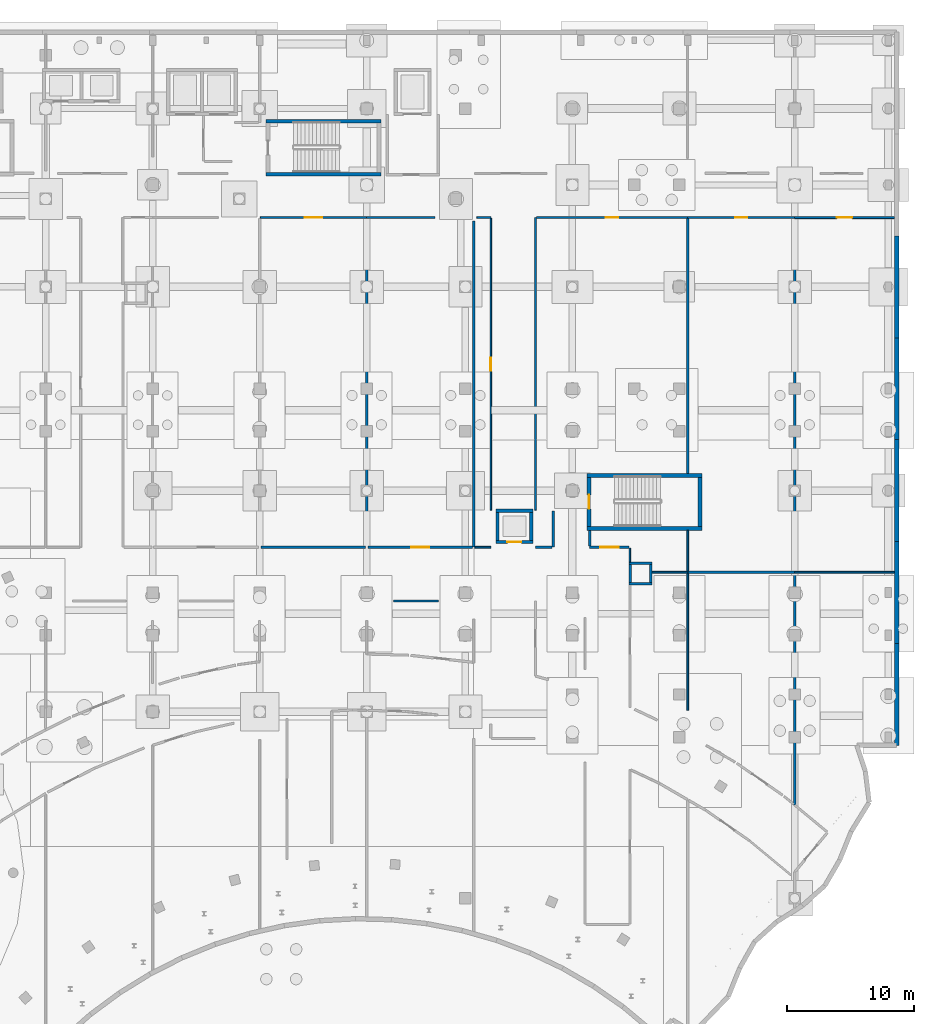
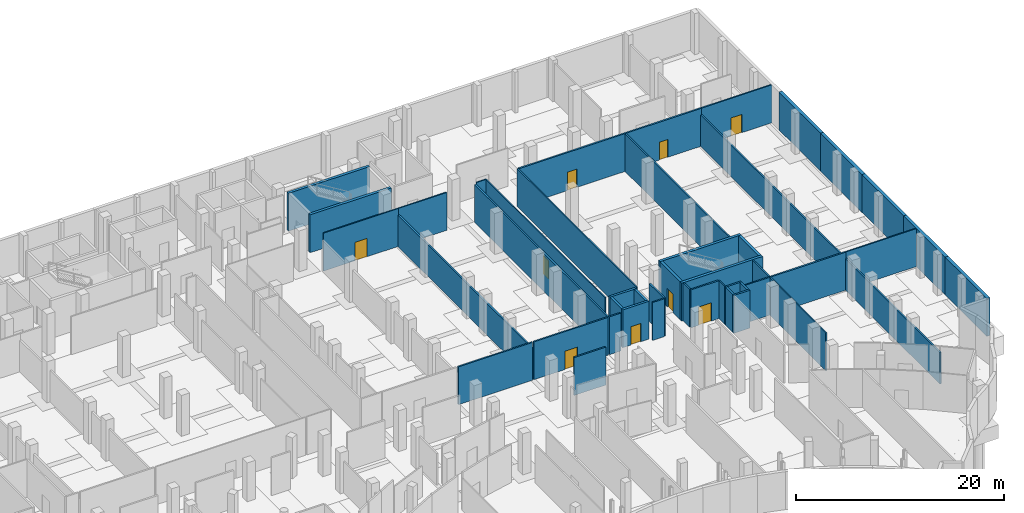
# One storey, part 37 of 45: 46 walls, 9 doors, 9 openings.
"""IFC4 building model written with IfcOpenShell, lengths in metres."""

from ifc_helpers import new_model, si_unit, direction, frame, frame_2d, origin, place, context, subcontext, project, spatial, rectangle, extrude, material, layer, layer_set, type_object, element, fill, save


model = new_model("IFC4")

# Units and contexts
model_context = context("Model", 3, precision=1e-05, world=origin(), true_north=direction((0.0, 1.0)))
body_context = subcontext(model_context, "Body", "Model", "MODEL_VIEW")
ifc_project = project(units=[si_unit("LENGTHUNIT", "METRE"), si_unit("AREAUNIT", "SQUARE_METRE"), si_unit("VOLUMEUNIT", "CUBIC_METRE"), si_unit("PLANEANGLEUNIT", "RADIAN"), si_unit("MASSUNIT", "GRAM", prefix="KILO")], contexts=[model_context])

# Site, building, storey
site_placement = place(None, origin())
site = spatial("IfcSite", under=ifc_project, at=site_placement, CompositionType="ELEMENT")
building_placement = place(site_placement, origin())
building = spatial("IfcBuilding", under=site, at=building_placement, Name="Selatvlak General Hospital", CompositionType="ELEMENT")
storey_placement = place(building_placement, frame((0.0, 0.0, -4.800048828125)))
storey = spatial("IfcBuildingStorey", under=building, at=storey_placement, Name="B1", CompositionType="ELEMENT", Elevation=-4.800048828125)

# Walls
ifc_material_1 = material(Name="Concrete C45/55", Category="concrete")
ifc_layer_1 = layer(ifc_material_1, 0.35009765625, Name="Concrete C45/55", Category="concrete")
ifc_layer_set_1 = layer_set([ifc_layer_1], Name="Concrete C45/55")
wall_type_1 = type_object("IfcWallType", Name="WALL-EW-05", PredefinedType="SHEAR", material=ifc_layer_set_1)
for number, where, z_axis, x_axis, name in (
    (1, (182.0, 104.0009765625, 0.0), (0.0, 0.0, 1.0), (0.0, -1.0, 0.0), "B1 retaining wall 0032"),
    (2, (182.0, 96.0009765625, 0.0), (0.0, 0.0, 1.0), (0.0, -1.0, 0.0), "B1 retaining wall 0033"),
    (3, (182.0, 88.0009765625, 0.0), (0.0, 0.0, 1.0), (0.0, -1.0, 0.0), "B1 retaining wall 0034"),
    (4, (182.0, 80.0009765625, 0.0), (0.0, 0.0, 1.0), (0.0, -1.0, 0.0), "B1 retaining wall 0035"),
    (5, (182.0, 72.0009765625, 0.0), (0.0, 0.0, 1.0), (0.0, -1.0, 0.0), "B1 retaining wall 0036"),
):
    element("IfcWall", number, at=place(storey_placement, frame(where, z_axis=z_axis, x_axis=x_axis)), inside=storey, type_object=wall_type_1, Name=name, PredefinedType="SHEAR", context=body_context, shape_type="SweptSolid", body=[
        extrude(rectangle(XDim=8.0, YDim=0.35009765625, at=frame_2d((4.0, 0.0))), origin(), (0.0, 0.0, 1.0), 4.449951171875),
    ])
ifc_material_2 = material(Name="Concrete C40/50", Category="concrete")
ifc_layer_2 = layer(ifc_material_2, 0.199951171875, Name="Concrete C40/50", Category="concrete")
ifc_layer_set_2 = layer_set([ifc_layer_2], Name="Concrete C40/50")
wall_type_2 = type_object("IfcWallType", Name="WALL-IW-02", PredefinedType="SOLIDWALL", material=ifc_layer_set_2)
wall_1_placement = place(storey_placement, frame((161.0, 76.699951171875, 0.0), z_axis=(0.0, 0.0, 1.0), x_axis=(1.0, 0.0, 0.0)))
element("IfcWall", 6, at=wall_1_placement, inside=storey, type_object=wall_type_2, Name="Service riser 4 shaft wall B1 S", PredefinedType="SOLIDWALL", context=body_context, shape_type="SweptSolid", body=[
    extrude(rectangle(XDim=1.800048828125, YDim=0.199951171875, at=frame_2d((0.89990234375, 0.0))), origin(), (0.0, 0.0, 1.0), 4.449951171875),
])
wall_2_placement = place(storey_placement, frame((162.699951171875, 76.800048828125, 0.0), z_axis=(0.0, 0.0, 1.0), x_axis=(0.0, 1.0, 0.0)))
element("IfcWall", 7, at=wall_2_placement, inside=storey, type_object=wall_type_2, Name="Service riser 4 shaft wall B1 E", PredefinedType="SOLIDWALL", context=body_context, shape_type="SweptSolid", body=[
    extrude(rectangle(XDim=1.39990234375, YDim=0.199951171875, at=frame_2d((0.699951171875, 0.0))), origin(), (0.0, 0.0, 1.0), 4.449951171875),
])
wall_3_placement = place(storey_placement, frame((162.800048828125, 78.300048828125, 0.0), z_axis=(0.0, 0.0, 1.0), x_axis=(-1.0, 0.0, 0.0)))
element("IfcWall", 8, at=wall_3_placement, inside=storey, type_object=wall_type_2, Name="Service riser 4 shaft wall B1 N", PredefinedType="SOLIDWALL", context=body_context, shape_type="SweptSolid", body=[
    extrude(rectangle(XDim=1.800048828125, YDim=0.199951171875, at=frame_2d((0.89990234375, 0.0))), origin(), (0.0, 0.0, 1.0), 4.449951171875),
])
wall_4_placement = place(storey_placement, frame((161.10009765625, 78.199951171875, 0.0), z_axis=(0.0, 0.0, 1.0), x_axis=(0.0, -1.0, 0.0)))
element("IfcWall", 9, at=wall_4_placement, inside=storey, type_object=wall_type_2, Name="Service riser 4 shaft wall B1 W", PredefinedType="SOLIDWALL", context=body_context, shape_type="SweptSolid", body=[
    extrude(rectangle(XDim=1.39990234375, YDim=0.199951171875, at=frame_2d((0.699951171875, 0.0))), origin(), (0.0, 0.0, 1.0), 4.449951171875),
])
ifc_material_3 = material(Name="Acoustic gypsum stud partition")
ifc_layer_3 = layer(ifc_material_3, 0.179931640625, Name="Acoustic gypsum stud partition")
ifc_layer_set_3 = layer_set([ifc_layer_3], Name="Acoustic gypsum stud partition")
wall_type_3 = type_object("IfcWallType", Name="WALL-PT-01", PredefinedType="PARTITIONING", material=ifc_layer_set_3)
wall_5_placement = place(storey_placement, frame((165.60009765625, 77.60009765625, 0.0), z_axis=(0.0, 0.0, 1.0), x_axis=(1.0, 0.0, 0.0)))
element("IfcWall", 10, at=wall_5_placement, inside=storey, type_object=wall_type_3, Name="B1 clinical partition PT-B1-0213", PredefinedType="PARTITIONING", context=body_context, shape_type="SweptSolid", body=[
    extrude(rectangle(XDim=8.39990234375, YDim=0.179931640625, at=frame_2d((4.199951171875, 0.0))), origin(), (0.0, 0.0, 1.0), 4.449951171875),
])
wall_6_placement = place(storey_placement, frame((140.39990234375, 105.3759765625, 0.0), z_axis=(0.0, 0.0, 1.0), x_axis=(0.0, -1.0, 0.0)))
element("IfcWall", 11, at=wall_6_placement, inside=storey, type_object=wall_type_3, Name="B1 clinical partition PT-B1-0303", PredefinedType="PARTITIONING", context=body_context, shape_type="SweptSolid", body=[
    extrude(rectangle(XDim=25.81591796875, YDim=0.179931640625, at=frame_2d((12.907958984375, 0.0))), origin(), (0.0, 0.0, 1.0), 3.699951171875),
])
wall_7_placement = place(storey_placement, frame((148.800048828125, 105.18994140625, 0.0), z_axis=(0.0, 0.0, 1.0), x_axis=(0.0, -1.0, 0.0)))
element("IfcWall", 12, at=wall_7_placement, inside=storey, type_object=wall_type_3, Name="B1 clinical partition PT-B1-0306", PredefinedType="PARTITIONING", context=body_context, shape_type="SweptSolid", body=[
    extrude(rectangle(XDim=25.6298828125, YDim=0.179931640625, at=frame_2d((12.81494140625, 0.0))), origin(), (0.0, 0.0, 1.0), 4.449951171875),
])

# Wall, opening, door
wall_8_placement = place(storey_placement, frame((161.0, 79.56005859375, 0.0), z_axis=(0.0, 0.0, 1.0), x_axis=(-1.0, 0.0, 0.0)))
wall_8 = element("IfcWall", 13, at=wall_8_placement, inside=storey, type_object=wall_type_3, Name="B1 clinical partition PT-B1-0309", PredefinedType="PARTITIONING", context=body_context, shape_type="SweptSolid", body=[
    extrude(rectangle(XDim=3.090087890625, YDim=0.179931640625, at=frame_2d((1.544921875, 0.0))), origin(), (0.0, 0.0, 1.0), 4.449951171875),
])
opening_1_placement = place(wall_8_placement, frame((0.820068359375, 0.0, 0.0)))
opening_1 = element("IfcOpeningElement", 14, at=opening_1_placement, cuts=wall_8, Name="Opening D-12", PredefinedType="OPENING", context=body_context, shape_type="SweptSolid", body=[
    extrude(rectangle(XDim=1.449951171875, YDim=2.14990234375, at=frame_2d((0.72509765625, 1.074951171875))), frame((0.0, 0.099853515625, 0.0), z_axis=(0.0, -1.0, 0.0), x_axis=(1.0, 0.0, 0.0)), (0.0, 0.0, 1.0), 0.199951171875),
])
ifc_material_4 = material(Name="Isolation anteroom door")
door_type_1 = type_object("IfcDoorType", Name="DOOR-D-12", OperationType="NOTDEFINED", PredefinedType="DOOR", material=ifc_material_4)
door_1_placement = place(opening_1_placement, origin())
door_1 = element("IfcDoor", 15, at=door_1_placement, inside=storey, type_object=door_type_1, Name="B1 Standby Generator Plant 69 door", OperationType="SINGLE_SWING_LEFT", OverallHeight=2.14990234375, OverallWidth=1.449951171875, PredefinedType="DOOR", context=body_context, shape_type="SweptSolid", body=[
    extrude(rectangle(XDim=1.449951171875, YDim=2.14990234375, at=frame_2d((0.72509765625, 1.074951171875))), frame((0.0, 0.02490234375, 0.0), z_axis=(0.0, -1.0, 0.0), x_axis=(1.0, 0.0, 0.0)), (0.0, 0.0, 1.0), 0.050048828125),
])
fill(opening_1, door_1)

# Wall
wall_9_placement = place(storey_placement, frame((155.0400390625, 82.388916015625, 0.0), z_axis=(0.0, 0.0, 1.0), x_axis=(0.0, -1.0, 0.0)))
element("IfcWall", 16, at=wall_9_placement, inside=storey, type_object=wall_type_3, Name="B1 clinical partition PT-B1-0312", PredefinedType="PARTITIONING", context=body_context, shape_type="SweptSolid", body=[
    extrude(rectangle(XDim=2.828857421875, YDim=0.179931640625, at=frame_2d((1.41455078125, 0.0))), origin(), (0.0, 0.0, 1.0), 4.449951171875),
])

# Wall, opening, door
wall_10_placement = place(storey_placement, frame((153.72412109375, 105.43994140625, 0.0), z_axis=(0.0, 0.0, 1.0), x_axis=(1.0, 0.0, 0.0)))
wall_10 = element("IfcWall", 17, at=wall_10_placement, inside=storey, type_object=wall_type_3, Name="B1 clinical partition PT-B1-0315", PredefinedType="PARTITIONING", context=body_context, shape_type="SweptSolid", body=[
    extrude(rectangle(XDim=11.8759765625, YDim=0.179931640625, at=frame_2d((5.93798828125, 0.0))), origin(), (0.0, 0.0, 1.0), 4.449951171875),
])
opening_2_placement = place(wall_10_placement, frame((5.43798828125, 0.0, 0.0)))
opening_2 = element("IfcOpeningElement", 18, at=opening_2_placement, cuts=wall_10, Name="Opening D-21", PredefinedType="OPENING", context=body_context, shape_type="SweptSolid", body=[
    extrude(rectangle(XDim=1.0, YDim=2.14990234375, at=frame_2d((0.5, 1.074951171875))), frame((0.0, 0.099853515625, 0.0), z_axis=(0.0, -1.0, 0.0), x_axis=(1.0, 0.0, 0.0)), (0.0, 0.0, 1.0), 0.199951171875),
])
ifc_material_5 = material(Name="Laboratory fire door")
door_type_2 = type_object("IfcDoorType", Name="DOOR-D-21", OperationType="NOTDEFINED", PredefinedType="DOOR", material=ifc_material_5)
door_2_placement = place(opening_2_placement, origin())
door_2 = element("IfcDoor", 19, at=door_2_placement, inside=storey, type_object=door_type_2, Name="B1 Medical Gas Manifold Plant 70 door", OperationType="SINGLE_SWING_RIGHT", OverallHeight=2.14990234375, OverallWidth=1.0, PredefinedType="DOOR", context=body_context, shape_type="SweptSolid", body=[
    extrude(rectangle(XDim=1.0, YDim=2.14990234375, at=frame_2d((0.5, 1.074951171875))), frame((0.0, 0.02490234375, 0.0), z_axis=(0.0, -1.0, 0.0), x_axis=(1.0, 0.0, 0.0)), (0.0, 0.0, 1.0), 0.050048828125),
])
fill(opening_2, door_2)

wall_11_placement = place(storey_placement, frame((165.60009765625, 105.43994140625, 0.0), z_axis=(0.0, 0.0, 1.0), x_axis=(1.0, 0.0, 0.0)))
wall_11 = element("IfcWall", 20, at=wall_11_placement, inside=storey, type_object=wall_type_3, Name="B1 clinical partition PT-B1-0320", PredefinedType="PARTITIONING", context=body_context, shape_type="SweptSolid", body=[
    extrude(rectangle(XDim=8.39990234375, YDim=0.179931640625, at=frame_2d((4.199951171875, 0.0))), origin(), (0.0, 0.0, 1.0), 4.449951171875),
])
opening_3_placement = place(wall_11_placement, frame((3.72509765625, 0.0, 0.0)))
opening_3 = element("IfcOpeningElement", 21, at=opening_3_placement, cuts=wall_11, Name="Opening D-02", PredefinedType="OPENING", context=body_context, shape_type="SweptSolid", body=[
    extrude(rectangle(XDim=0.949951171875, YDim=2.10009765625, at=frame_2d((0.47509765625, 1.050048828125))), frame((0.0, 0.099853515625, 0.0), z_axis=(0.0, -1.0, 0.0), x_axis=(1.0, 0.0, 0.0)), (0.0, 0.0, 1.0), 0.199951171875),
])
ifc_material_6 = material(Name="Moisture-resistant en-suite door")
door_type_3 = type_object("IfcDoorType", Name="DOOR-D-02", OperationType="NOTDEFINED", PredefinedType="DOOR", material=ifc_material_6)
door_3_placement = place(opening_3_placement, origin())
door_3 = element("IfcDoor", 22, at=door_3_placement, inside=storey, type_object=door_type_3, Name="B1 Hospital Linen Laundry 72 door", OperationType="SINGLE_SWING_RIGHT", OverallHeight=2.10009765625, OverallWidth=0.949951171875, PredefinedType="DOOR", context=body_context, shape_type="SweptSolid", body=[
    extrude(rectangle(XDim=0.949951171875, YDim=2.10009765625, at=frame_2d((0.47509765625, 1.050048828125))), frame((0.0, 0.02490234375, 0.0), z_axis=(0.0, -1.0, 0.0), x_axis=(1.0, 0.0, 0.0)), (0.0, 0.0, 1.0), 0.050048828125),
])
fill(opening_3, door_3)

# Walls
ifc_layer_4 = layer(ifc_material_3, 0.1650390625, Name="Acoustic gypsum stud partition")
ifc_layer_set_4 = layer_set([ifc_layer_4], Name="Acoustic gypsum stud partition")
wall_type_4 = type_object("IfcWallType", Name="WALL-PT-02", PredefinedType="PARTITIONING", material=ifc_layer_set_4)
wall_12_placement = place(storey_placement, frame((142.508056640625, 75.340087890625, 0.0), z_axis=(0.0, 0.0, 1.0), x_axis=(1.0, 0.0, 0.0)))
element("IfcWall", 23, at=wall_12_placement, inside=storey, type_object=wall_type_4, Name="B1 clinical partition PT-B1-0187", PredefinedType="PARTITIONING", context=body_context, shape_type="SweptSolid", body=[
    extrude(rectangle(XDim=3.533935546875, YDim=0.1650390625, at=frame_2d((1.76708984375, 0.0))), origin(), (0.0, 0.0, 1.0), 4.449951171875),
])
wall_13_placement = place(storey_placement, frame((174.0, 77.513916015625, 0.0), z_axis=(0.0, 0.0, 1.0), x_axis=(0.0, -1.0, 0.0)))
element("IfcWall", 24, at=wall_13_placement, inside=storey, type_object=wall_type_4, Name="B1 clinical partition PT-B1-0214", PredefinedType="PARTITIONING", context=body_context, shape_type="SweptSolid", body=[
    extrude(rectangle(XDim=18.19482421875, YDim=0.1650390625, at=frame_2d((9.097412109375, 0.0))), origin(), (0.0, 0.0, 1.0), 3.699951171875),
])
wall_14_placement = place(storey_placement, frame((140.31396484375, 79.56005859375, 0.0), z_axis=(0.0, 0.0, 1.0), x_axis=(-1.0, 0.0, 0.0)))
element("IfcWall", 25, at=wall_14_placement, inside=storey, type_object=wall_type_4, Name="B1 clinical partition PT-B1-0304", PredefinedType="PARTITIONING", context=body_context, shape_type="SweptSolid", body=[
    extrude(rectangle(XDim=8.22802734375, YDim=0.1650390625, at=frame_2d((4.114013671875, 0.0))), origin(), (0.0, 0.0, 1.0), 4.449951171875),
])

# Wall, opening, door
wall_15_placement = place(storey_placement, frame((148.714111328125, 79.56005859375, 0.0), z_axis=(0.0, 0.0, 1.0), x_axis=(-1.0, 0.0, 0.0)))
wall_15 = element("IfcWall", 26, at=wall_15_placement, inside=storey, type_object=wall_type_4, Name="B1 clinical partition PT-B1-0307", PredefinedType="PARTITIONING", context=body_context, shape_type="SweptSolid", body=[
    extrude(rectangle(XDim=8.22802734375, YDim=0.1650390625, at=frame_2d((4.114013671875, 0.0))), origin(), (0.0, 0.0, 1.0), 4.449951171875),
])
opening_4_placement = place(wall_15_placement, frame((3.4140625, 0.0, 0.0)))
opening_4 = element("IfcOpeningElement", 27, at=opening_4_placement, cuts=wall_15, Name="Opening D-11", PredefinedType="OPENING", context=body_context, shape_type="SweptSolid", body=[
    extrude(rectangle(XDim=1.39990234375, YDim=2.14990234375, at=frame_2d((0.699951171875, 1.074951171875))), frame((0.0, 0.092529296875, 0.0), z_axis=(0.0, -1.0, 0.0), x_axis=(1.0, 0.0, 0.0)), (0.0, 0.0, 1.0), 0.18505859375),
])
ifc_material_7 = material(Name="Inpatient suite bed door")
door_type_4 = type_object("IfcDoorType", Name="DOOR-D-11", OperationType="NOTDEFINED", PredefinedType="DOOR", material=ifc_material_7)
door_4_placement = place(opening_4_placement, origin())
door_4 = element("IfcDoor", 28, at=door_4_placement, inside=storey, type_object=door_type_4, Name="B1 Central Chiller Plant 68 door", OperationType="SINGLE_SWING_RIGHT", OverallHeight=2.14990234375, OverallWidth=1.39990234375, PredefinedType="DOOR", context=body_context, shape_type="SweptSolid", body=[
    extrude(rectangle(XDim=1.39990234375, YDim=2.14990234375, at=frame_2d((0.699951171875, 1.074951171875))), frame((0.0, 0.02490234375, 0.0), z_axis=(0.0, -1.0, 0.0), x_axis=(1.0, 0.0, 0.0)), (0.0, 0.0, 1.0), 0.050048828125),
])
fill(opening_4, door_4)

# Walls
wall_16_placement = place(storey_placement, frame((157.909912109375, 79.64599609375, 0.0), z_axis=(0.0, 0.0, 1.0), x_axis=(0.0, 1.0, 0.0)))
element("IfcWall", 29, at=wall_16_placement, inside=storey, type_object=wall_type_4, Name="B1 clinical partition PT-B1-0310", PredefinedType="PARTITIONING", context=body_context, shape_type="SweptSolid", body=[
    extrude(rectangle(XDim=1.2470703125, YDim=0.1650390625, at=frame_2d((0.62353515625, 0.0))), origin(), (0.0, 0.0, 1.0), 4.449951171875),
])
wall_17_placement = place(storey_placement, frame((154.9541015625, 79.56005859375, 0.0), z_axis=(0.0, 0.0, 1.0), x_axis=(-1.0, 0.0, 0.0)))
element("IfcWall", 30, at=wall_17_placement, inside=storey, type_object=wall_type_4, Name="B1 clinical partition PT-B1-0313", PredefinedType="PARTITIONING", context=body_context, shape_type="SweptSolid", body=[
    extrude(rectangle(XDim=1.294189453125, YDim=0.1650390625, at=frame_2d((0.64697265625, 0.0))), origin(), (0.0, 0.0, 1.0), 4.449951171875),
])
wall_18_placement = place(storey_placement, frame((165.60009765625, 105.35400390625, 0.0), z_axis=(0.0, 0.0, 1.0), x_axis=(0.0, -1.0, 0.0)))
element("IfcWall", 31, at=wall_18_placement, inside=storey, type_object=wall_type_4, Name="B1 clinical partition PT-B1-0316", PredefinedType="PARTITIONING", context=body_context, shape_type="SweptSolid", body=[
    extrude(rectangle(XDim=20.007080078125, YDim=0.1650390625, at=frame_2d((10.00341796875, 0.0))), origin(), (0.0, 0.0, 1.0), 4.449951171875),
])
wall_19_placement = place(storey_placement, frame((174.0, 105.35400390625, 0.0), z_axis=(0.0, 0.0, 1.0), x_axis=(0.0, -1.0, 0.0)))
element("IfcWall", 32, at=wall_19_placement, inside=storey, type_object=wall_type_4, Name="B1 clinical partition PT-B1-0321", PredefinedType="PARTITIONING", context=body_context, shape_type="SweptSolid", body=[
    extrude(rectangle(XDim=27.66796875, YDim=0.1650390625, at=frame_2d((13.833984375, 0.0))), origin(), (0.0, 0.0, 1.0), 3.699951171875),
])
ifc_layer_5 = layer(ifc_material_3, 0.14990234375, Name="Acoustic gypsum stud partition")
ifc_layer_set_5 = layer_set([ifc_layer_5], Name="Acoustic gypsum stud partition")
wall_type_5 = type_object("IfcWallType", Name="WALL-PT-03", PredefinedType="PARTITIONING", material=ifc_layer_set_5)
wall_20_placement = place(storey_placement, frame((162.797119140625, 77.60009765625, 0.0), z_axis=(0.0, 0.0, 1.0), x_axis=(1.0, 0.0, 0.0)))
element("IfcWall", 33, at=wall_20_placement, inside=storey, type_object=wall_type_5, Name="B1 clinical partition PT-B1-0202", PredefinedType="PARTITIONING", context=body_context, shape_type="SweptSolid", body=[
    extrude(rectangle(XDim=2.802978515625, YDim=0.14990234375, at=frame_2d((1.4013671875, 0.0))), origin(), (0.0, 0.0, 1.0), 4.449951171875),
])
wall_21_placement = place(storey_placement, frame((150.139892578125, 79.56005859375, 0.0), z_axis=(0.0, 0.0, 1.0), x_axis=(-1.0, 0.0, 0.0)))
element("IfcWall", 34, at=wall_21_placement, inside=storey, type_object=wall_type_5, Name="B1 clinical partition PT-B1-0317", PredefinedType="PARTITIONING", context=body_context, shape_type="SweptSolid", body=[
    extrude(rectangle(XDim=1.25390625, YDim=0.14990234375, at=frame_2d((0.626953125, 0.0))), origin(), (0.0, 0.0, 1.0), 4.449951171875),
])

# Wall, opening, door
wall_22_placement = place(storey_placement, frame((174.0, 105.43994140625, 0.0), z_axis=(0.0, 0.0, 1.0), x_axis=(1.0, 0.0, 0.0)))
wall_22 = element("IfcWall", 35, at=wall_22_placement, inside=storey, type_object=wall_type_5, Name="B1 clinical partition PT-B1-0322", PredefinedType="PARTITIONING", context=body_context, shape_type="SweptSolid", body=[
    extrude(rectangle(XDim=7.827880859375, YDim=0.14990234375, at=frame_2d((3.9140625, 0.0))), origin(), (0.0, 0.0, 1.0), 4.449951171875),
])
opening_5_placement = place(wall_22_placement, frame((3.31396484375, 0.0, 0.0)))
opening_5 = element("IfcOpeningElement", 36, at=opening_5_placement, cuts=wall_22, Name="Opening D-23", PredefinedType="OPENING", context=body_context, shape_type="SweptSolid", body=[
    extrude(rectangle(XDim=1.199951171875, YDim=2.14990234375, at=frame_2d((0.60009765625, 1.074951171875))), frame((0.0, 0.0849609375, 0.0), z_axis=(0.0, -1.0, 0.0), x_axis=(1.0, 0.0, 0.0)), (0.0, 0.0, 1.0), 0.169921875),
])
ifc_material_8 = material(Name="Endoscopy clinical door")
door_type_5 = type_object("IfcDoorType", Name="DOOR-D-23", OperationType="NOTDEFINED", PredefinedType="DOOR", material=ifc_material_8)
door_5_placement = place(opening_5_placement, origin())
door_5 = element("IfcDoor", 37, at=door_5_placement, inside=storey, type_object=door_type_5, Name="B1 Central Sterile Supply Department 73 door", OperationType="SINGLE_SWING_LEFT", OverallHeight=2.14990234375, OverallWidth=1.199951171875, PredefinedType="DOOR", context=body_context, shape_type="SweptSolid", body=[
    extrude(rectangle(XDim=1.199951171875, YDim=2.14990234375, at=frame_2d((0.60009765625, 1.074951171875))), frame((0.0, 0.02490234375, 0.0), z_axis=(0.0, -1.0, 0.0), x_axis=(1.0, 0.0, 0.0)), (0.0, 0.0, 1.0), 0.050048828125),
])
fill(opening_5, door_5)

# Walls
ifc_material_9 = material(Name="Moisture-resistant clinical partition")
ifc_layer_6 = layer(ifc_material_9, 0.135009765625, Name="Moisture-resistant clinical partition")
ifc_layer_set_6 = layer_set([ifc_layer_6], Name="Moisture-resistant clinical partition")
wall_type_6 = type_object("IfcWallType", Name="WALL-PT-04", PredefinedType="PARTITIONING", material=ifc_layer_set_6)
wall_23_placement = place(storey_placement, frame((165.60009765625, 77.529052734375, 0.0), z_axis=(0.0, 0.0, 1.0), x_axis=(0.0, -1.0, 0.0)))
element("IfcWall", 38, at=wall_23_placement, inside=storey, type_object=wall_type_6, Name="B1 clinical partition PT-B1-0203", PredefinedType="PARTITIONING", context=body_context, shape_type="SweptSolid", body=[
    extrude(rectangle(XDim=10.76708984375, YDim=0.135009765625, at=frame_2d((5.383544921875, 0.0))), origin(), (0.0, 0.0, 1.0), 4.449951171875),
])
wall_24_placement = place(storey_placement, frame((174.0, 77.60009765625, 0.0), z_axis=(0.0, 0.0, 1.0), x_axis=(1.0, 0.0, 0.0)))
element("IfcWall", 39, at=wall_24_placement, inside=storey, type_object=wall_type_6, Name="B1 clinical partition PT-B1-0218", PredefinedType="PARTITIONING", context=body_context, shape_type="SweptSolid", body=[
    extrude(rectangle(XDim=7.827880859375, YDim=0.135009765625, at=frame_2d((3.9140625, 0.0))), origin(), (0.0, 0.0, 1.0), 4.449951171875),
])

# Wall, opening, door
wall_25_placement = place(storey_placement, frame((132.055908203125, 105.43994140625, 0.0), z_axis=(0.0, 0.0, 1.0), x_axis=(1.0, 0.0, 0.0)))
wall_25 = element("IfcWall", 40, at=wall_25_placement, inside=storey, type_object=wall_type_6, Name="B1 clinical partition PT-B1-0302", PredefinedType="PARTITIONING", context=body_context, shape_type="SweptSolid", body=[
    extrude(rectangle(XDim=8.343994140625, YDim=0.135009765625, at=frame_2d((4.171875, 0.0))), origin(), (0.0, 0.0, 1.0), 4.449951171875),
])
opening_6_placement = place(wall_25_placement, frame((3.4970703125, 0.0, 0.0)))
opening_6 = element("IfcOpeningElement", 41, at=opening_6_placement, cuts=wall_25, Name="Opening D-10", PredefinedType="OPENING", context=body_context, shape_type="SweptSolid", body=[
    extrude(rectangle(XDim=1.35009765625, YDim=2.14990234375, at=frame_2d((0.675048828125, 1.074951171875))), frame((0.0, 0.077392578125, 0.0), z_axis=(0.0, -1.0, 0.0), x_axis=(1.0, 0.0, 0.0)), (0.0, 0.0, 1.0), 0.155029296875),
])
ifc_material_10 = material(Name="Single patient bed door")
door_type_6 = type_object("IfcDoorType", Name="DOOR-D-10", OperationType="NOTDEFINED", PredefinedType="DOOR", material=ifc_material_10)
door_6_placement = place(opening_6_placement, origin())
door_6 = element("IfcDoor", 42, at=door_6_placement, inside=storey, type_object=door_type_6, Name="B1 Bulk Pharmacy Store 67 door", OperationType="SINGLE_SWING_LEFT", OverallHeight=2.14990234375, OverallWidth=1.35009765625, PredefinedType="DOOR", context=body_context, shape_type="SweptSolid", body=[
    extrude(rectangle(XDim=1.35009765625, YDim=2.14990234375, at=frame_2d((0.675048828125, 1.074951171875))), frame((0.0, 0.02490234375, 0.0), z_axis=(0.0, -1.0, 0.0), x_axis=(1.0, 0.0, 0.0)), (0.0, 0.0, 1.0), 0.050048828125),
])
fill(opening_6, door_6)

# Walls
wall_26_placement = place(storey_placement, frame((140.39990234375, 105.43994140625, 0.0), z_axis=(0.0, 0.0, 1.0), x_axis=(1.0, 0.0, 0.0)))
element("IfcWall", 43, at=wall_26_placement, inside=storey, type_object=wall_type_6, Name="B1 clinical partition PT-B1-0305", PredefinedType="PARTITIONING", context=body_context, shape_type="SweptSolid", body=[
    extrude(rectangle(XDim=5.343994140625, YDim=0.135009765625, at=frame_2d((2.671875, 0.0))), origin(), (0.0, 0.0, 1.0), 4.449951171875),
])
wall_27_placement = place(storey_placement, frame((161.06005859375, 78.39697265625, 0.0), z_axis=(0.0, 0.0, 1.0), x_axis=(0.0, 1.0, 0.0)))
element("IfcWall", 44, at=wall_27_placement, inside=storey, type_object=wall_type_6, Name="B1 clinical partition PT-B1-0308", PredefinedType="PARTITIONING", context=body_context, shape_type="SweptSolid", body=[
    extrude(rectangle(XDim=1.10302734375, YDim=0.135009765625, at=frame_2d((0.551513671875, 0.0))), origin(), (0.0, 0.0, 1.0), 4.449951171875),
])
wall_28_placement = place(storey_placement, frame((165.60009765625, 80.89306640625, 0.0), z_axis=(0.0, 0.0, 1.0), x_axis=(0.0, -1.0, 0.0)))
element("IfcWall", 45, at=wall_28_placement, inside=storey, type_object=wall_type_6, Name="B1 clinical partition PT-B1-0311", PredefinedType="PARTITIONING", context=body_context, shape_type="SweptSolid", body=[
    extrude(rectangle(XDim=3.20703125, YDim=0.135009765625, at=frame_2d((1.603515625, 0.0))), origin(), (0.0, 0.0, 1.0), 4.449951171875),
])
wall_29_placement = place(storey_placement, frame((153.659912109375, 82.47998046875, 0.0), z_axis=(0.0, 0.0, 1.0), x_axis=(0.0, 1.0, 0.0)))
element("IfcWall", 46, at=wall_29_placement, inside=storey, type_object=wall_type_6, Name="B1 clinical partition PT-B1-0314", PredefinedType="PARTITIONING", context=body_context, shape_type="SweptSolid", body=[
    extrude(rectangle(XDim=22.9599609375, YDim=0.135009765625, at=frame_2d((11.47998046875, 0.0))), origin(), (0.0, 0.0, 1.0), 4.449951171875),
])
wall_30_placement = place(storey_placement, frame((149.055908203125, 105.43994140625, 0.0), z_axis=(0.0, 0.0, 1.0), x_axis=(1.0, 0.0, 0.0)))
element("IfcWall", 47, at=wall_30_placement, inside=storey, type_object=wall_type_6, Name="B1 clinical partition PT-B1-0318", PredefinedType="PARTITIONING", context=body_context, shape_type="SweptSolid", body=[
    extrude(rectangle(XDim=1.083984375, YDim=0.135009765625, at=frame_2d((0.5419921875, 0.0))), origin(), (0.0, 0.0, 1.0), 4.449951171875),
])

# Wall, opening, door
ifc_layer_7 = layer(ifc_material_9, 0.1201171875, Name="Moisture-resistant clinical partition")
ifc_layer_set_7 = layer_set([ifc_layer_7], Name="Moisture-resistant clinical partition")
wall_type_7 = type_object("IfcWallType", Name="WALL-PT-05", PredefinedType="PARTITIONING", material=ifc_layer_set_7)
wall_31_placement = place(storey_placement, frame((150.139892578125, 105.3759765625, 0.0), z_axis=(0.0, 0.0, 1.0), x_axis=(0.0, -1.0, 0.0)))
wall_31 = element("IfcWall", 48, at=wall_31_placement, inside=storey, type_object=wall_type_7, Name="B1 clinical partition PT-B1-0319", PredefinedType="PARTITIONING", context=body_context, shape_type="SweptSolid", body=[
    extrude(rectangle(XDim=22.89599609375, YDim=0.1201171875, at=frame_2d((11.447998046875, 0.0))), origin(), (0.0, 0.0, 1.0), 4.449951171875),
])
opening_7_placement = place(wall_31_placement, frame((10.923095703125, 0.0, 0.0)))
opening_7 = element("IfcOpeningElement", 49, at=opening_7_placement, cuts=wall_31, Name="Opening D-04", PredefinedType="OPENING", context=body_context, shape_type="SweptSolid", body=[
    extrude(rectangle(XDim=1.050048828125, YDim=2.14990234375, at=frame_2d((0.52490234375, 1.074951171875))), frame((0.0, 0.070068359375, 0.0), z_axis=(0.0, -1.0, 0.0), x_axis=(1.0, 0.0, 0.0)), (0.0, 0.0, 1.0), 0.14013671875),
])
ifc_material_11 = material(Name="Consultation room door")
door_type_7 = type_object("IfcDoorType", Name="DOOR-D-04", OperationType="NOTDEFINED", PredefinedType="DOOR", material=ifc_material_11)
door_7_placement = place(opening_7_placement, origin())
door_7 = element("IfcDoor", 50, at=door_7_placement, inside=storey, type_object=door_type_7, Name="B1 Mortuary Cold Suite 71 door", OperationType="SINGLE_SWING_LEFT", OverallHeight=2.14990234375, OverallWidth=1.050048828125, PredefinedType="DOOR", context=body_context, shape_type="SweptSolid", body=[
    extrude(rectangle(XDim=1.050048828125, YDim=2.14990234375, at=frame_2d((0.52490234375, 1.074951171875))), frame((0.0, 0.02490234375, 0.0), z_axis=(0.0, -1.0, 0.0), x_axis=(1.0, 0.0, 0.0)), (0.0, 0.0, 1.0), 0.050048828125),
])
fill(opening_7, door_7)

# Walls
ifc_layer_8 = layer(ifc_material_1, 0.300048828125, Name="Concrete C45/55", Category="concrete")
ifc_layer_set_8 = layer_set([ifc_layer_8], Name="Concrete C45/55")
wall_type_8 = type_object("IfcWallType", Name="WALL-SW-02", PredefinedType="SHEAR", material=ifc_layer_set_8)
for number, where, z_axis, x_axis, name in (
    (51, (132.489990234375, 108.840087890625, 0.0), (0.0, 0.0, 1.0), (1.0, 0.0, 0.0), "ST-04 core shear wall B1 S"),
    (52, (141.510009765625, 113.0, 0.0), (0.0, 0.0, 1.0), (-1.0, 0.0, 0.0), "ST-04 core shear wall B1 N"),
    (53, (157.68994140625, 81.0400390625, 0.0), (0.0, 0.0, 1.0), (1.0, 0.0, 0.0), "ST-06 core shear wall B1 S"),
):
    element("IfcWall", number, at=place(storey_placement, frame(where, z_axis=z_axis, x_axis=x_axis)), inside=storey, type_object=wall_type_8, Name=name, PredefinedType="SHEAR", context=body_context, shape_type="SweptSolid", body=[
        extrude(rectangle(XDim=9.02001953125, YDim=0.300048828125, at=frame_2d((4.510009765625, 0.0))), origin(), (0.0, 0.0, 1.0), 4.449951171875),
    ])
wall_32_placement = place(storey_placement, frame((166.56005859375, 81.18994140625, 0.0), z_axis=(0.0, 0.0, 1.0), x_axis=(0.0, 1.0, 0.0)))
element("IfcWall", 54, at=wall_32_placement, inside=storey, type_object=wall_type_8, Name="ST-06 core shear wall B1 E", PredefinedType="SHEAR", context=body_context, shape_type="SweptSolid", body=[
    extrude(rectangle(XDim=3.860107421875, YDim=0.300048828125, at=frame_2d((1.93017578125, 0.0))), origin(), (0.0, 0.0, 1.0), 4.449951171875),
])
wall_33_placement = place(storey_placement, frame((166.7099609375, 85.199951171875, 0.0), z_axis=(0.0, 0.0, 1.0), x_axis=(-1.0, 0.0, 0.0)))
element("IfcWall", 55, at=wall_33_placement, inside=storey, type_object=wall_type_8, Name="ST-06 core shear wall B1 N", PredefinedType="SHEAR", context=body_context, shape_type="SweptSolid", body=[
    extrude(rectangle(XDim=9.02001953125, YDim=0.300048828125, at=frame_2d((4.510009765625, 0.0))), origin(), (0.0, 0.0, 1.0), 4.449951171875),
])

# Wall, opening, door
wall_34_placement = place(storey_placement, frame((157.840087890625, 85.050048828125, 0.0), z_axis=(0.0, 0.0, 1.0), x_axis=(0.0, -1.0, 0.0)))
wall_34 = element("IfcWall", 56, at=wall_34_placement, inside=storey, type_object=wall_type_8, Name="ST-06 core shear wall B1 W", PredefinedType="SHEAR", context=body_context, shape_type="SweptSolid", body=[
    extrude(rectangle(XDim=3.860107421875, YDim=0.300048828125, at=frame_2d((1.93017578125, 0.0))), origin(), (0.0, 0.0, 1.0), 4.449951171875),
])
opening_8_placement = place(wall_34_placement, frame((1.3798828125, 0.0, 0.0)))
opening_8 = element("IfcOpeningElement", 57, at=opening_8_placement, cuts=wall_34, Name="Opening D-05", PredefinedType="OPENING", context=body_context, shape_type="SweptSolid", body=[
    extrude(rectangle(XDim=1.10009765625, YDim=2.14990234375, at=frame_2d((0.550048828125, 1.074951171875))), frame((0.0, 0.159912109375, 0.0), z_axis=(0.0, -1.0, 0.0), x_axis=(1.0, 0.0, 0.0)), (0.0, 0.0, 1.0), 0.320068359375),
])
ifc_material_12 = material(Name="Protected stair fire door")
door_type_8 = type_object("IfcDoorType", Name="DOOR-D-05", OperationType="NOTDEFINED", PredefinedType="DOOR", material=ifc_material_12)
door_8_placement = place(opening_8_placement, origin())
door_8 = element("IfcDoor", 58, at=door_8_placement, inside=storey, type_object=door_type_8, Name="ST-06 protected stair door on B1", OperationType="SINGLE_SWING_LEFT", OverallHeight=2.14990234375, OverallWidth=1.10009765625, PredefinedType="DOOR", context=body_context, shape_type="SweptSolid", body=[
    extrude(rectangle(XDim=1.10009765625, YDim=2.14990234375, at=frame_2d((0.550048828125, 1.074951171875))), frame((0.0, 0.02490234375, 0.0), z_axis=(0.0, -1.0, 0.0), x_axis=(1.0, 0.0, 0.0)), (0.0, 0.0, 1.0), 0.050048828125),
])
fill(opening_8, door_8)

ifc_layer_9 = layer(ifc_material_2, 0.25, Name="Concrete C40/50", Category="concrete")
ifc_layer_set_9 = layer_set([ifc_layer_9], Name="Concrete C40/50")
wall_type_9 = type_object("IfcWallType", Name="WALL-SW-03", PredefinedType="SHEAR", material=ifc_layer_set_9)
wall_35_placement = place(storey_placement, frame((150.550048828125, 79.97509765625, 0.0), z_axis=(0.0, 0.0, 1.0), x_axis=(1.0, 0.0, 0.0)))
wall_35 = element("IfcWall", 59, at=wall_35_placement, inside=storey, type_object=wall_type_9, Name="Lift LP-04 shaft wall B1 S", PredefinedType="SHEAR", context=body_context, shape_type="SweptSolid", body=[
    extrude(rectangle(XDim=2.89990234375, YDim=0.25, at=frame_2d((1.449951171875, 0.0))), origin(), (0.0, 0.0, 1.0), 4.449951171875),
])
opening_9_placement = place(wall_35_placement, frame((0.89990234375, 0.0, 0.0)))
opening_9 = element("IfcOpeningElement", 60, at=opening_9_placement, cuts=wall_35, Name="Opening LD-P1", PredefinedType="OPENING", context=body_context, shape_type="SweptSolid", body=[
    extrude(rectangle(XDim=1.10009765625, YDim=2.14990234375, at=frame_2d((0.550048828125, 1.074951171875))), frame((0.0, 0.135009765625, 0.0), z_axis=(0.0, -1.0, 0.0), x_axis=(1.0, 0.0, 0.0)), (0.0, 0.0, 1.0), 0.27001953125),
])
ifc_material_13 = material(Name="Stainless steel passenger lift landing door", Category="steel")
door_type_9 = type_object("IfcDoorType", Name="DOOR-LD-P1", OperationType="DOUBLE_DOOR_SLIDING", PredefinedType="DOOR", material=ifc_material_13)
door_9_placement = place(opening_9_placement, origin())
door_9 = element("IfcDoor", 61, at=door_9_placement, inside=storey, type_object=door_type_9, Name="Lift LP-04 sliding landing door on B1", OperationType="DOUBLE_DOOR_SLIDING", OverallHeight=2.14990234375, OverallWidth=1.10009765625, PredefinedType="DOOR", context=body_context, shape_type="SweptSolid", body=[
    extrude(rectangle(XDim=1.10009765625, YDim=2.14990234375, at=frame_2d((0.550048828125, 1.074951171875))), frame((0.0, 0.02490234375, 0.0), z_axis=(0.0, -1.0, 0.0), x_axis=(1.0, 0.0, 0.0)), (0.0, 0.0, 1.0), 0.050048828125),
])
fill(opening_9, door_9)

# Walls
wall_36_placement = place(storey_placement, frame((153.324951171875, 80.10009765625, 0.0), z_axis=(0.0, 0.0, 1.0), x_axis=(0.0, 1.0, 0.0)))
element("IfcWall", 62, at=wall_36_placement, inside=storey, type_object=wall_type_9, Name="Lift LP-04 shaft wall B1 E", PredefinedType="SHEAR", context=body_context, shape_type="SweptSolid", body=[
    extrude(rectangle(XDim=2.199951171875, YDim=0.25, at=frame_2d((1.10009765625, 0.0))), origin(), (0.0, 0.0, 1.0), 4.449951171875),
])
wall_37_placement = place(storey_placement, frame((153.449951171875, 82.425048828125, 0.0), z_axis=(0.0, 0.0, 1.0), x_axis=(-1.0, 0.0, 0.0)))
element("IfcWall", 63, at=wall_37_placement, inside=storey, type_object=wall_type_9, Name="Lift LP-04 shaft wall B1 N", PredefinedType="SHEAR", context=body_context, shape_type="SweptSolid", body=[
    extrude(rectangle(XDim=2.89990234375, YDim=0.25, at=frame_2d((1.449951171875, 0.0))), origin(), (0.0, 0.0, 1.0), 4.449951171875),
])
wall_38_placement = place(storey_placement, frame((150.675048828125, 82.300048828125, 0.0), z_axis=(0.0, 0.0, 1.0), x_axis=(0.0, -1.0, 0.0)))
element("IfcWall", 64, at=wall_38_placement, inside=storey, type_object=wall_type_9, Name="Lift LP-04 shaft wall B1 W", PredefinedType="SHEAR", context=body_context, shape_type="SweptSolid", body=[
    extrude(rectangle(XDim=2.199951171875, YDim=0.25, at=frame_2d((1.10009765625, 0.0))), origin(), (0.0, 0.0, 1.0), 4.449951171875),
])

save(model, "model.ifc")
